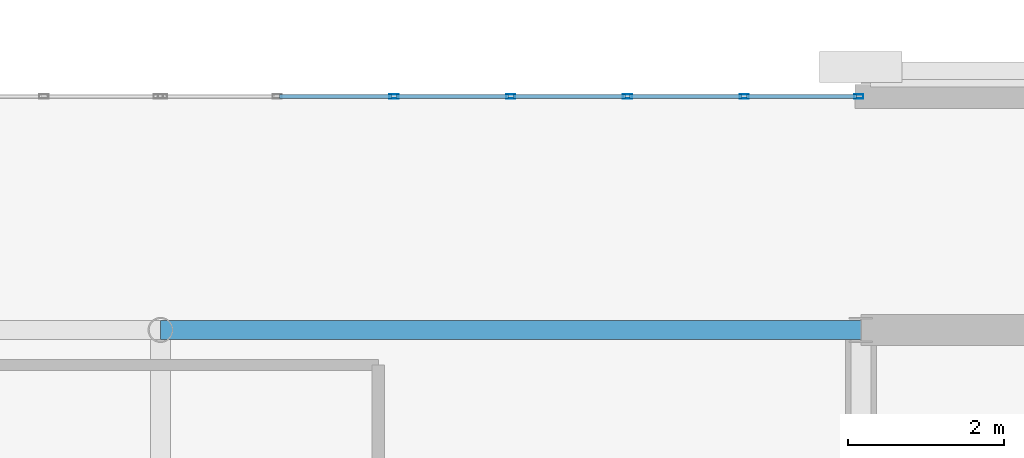
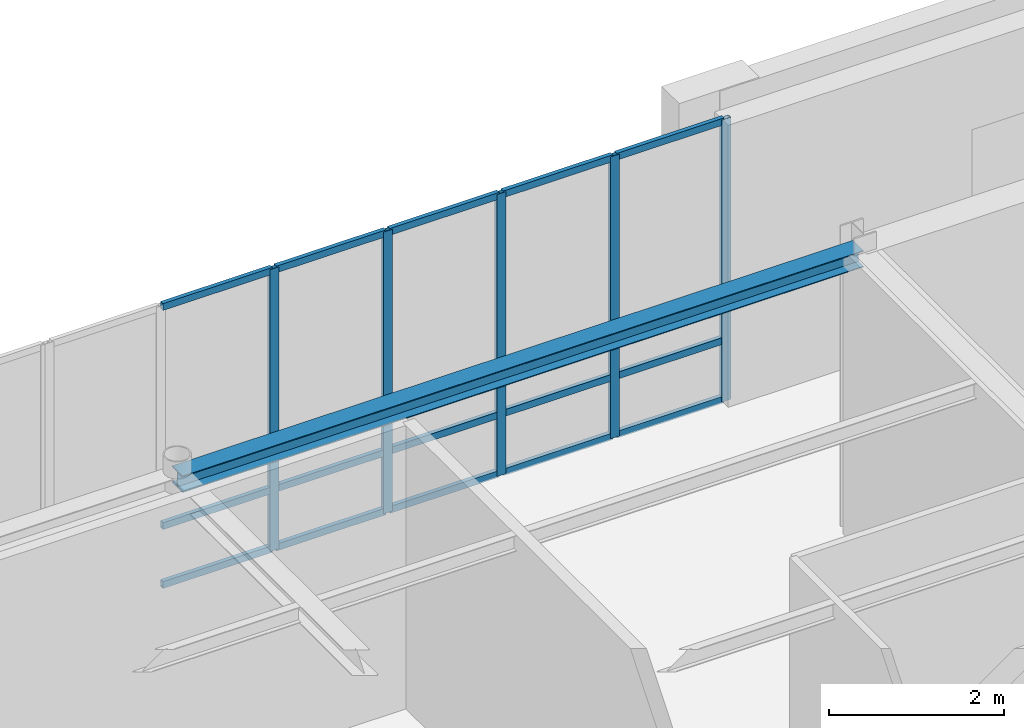
# One storey, part 17 of 36: 20 members, 1 beam, 1 element without a shape of its own.
"""IFC4 building model written with IfcOpenShell, lengths in metres."""

from ifc_helpers import new_model, si_unit, direction, frame, origin, origin_2d, place, context, subcontext, project, spatial, hollow_rectangle, i_section, extrude, material, material_profile, profile_set, type_object, element, aggregate, save


model = new_model("IFC4")

# Units and contexts
model_context = context("Model", 3, precision=1e-05, world=origin(), true_north=direction((0.0, 1.0)))
body_context = subcontext(model_context, "Body", "Model", "MODEL_VIEW")
ifc_project = project(units=[si_unit("LENGTHUNIT", "METRE"), si_unit("AREAUNIT", "SQUARE_METRE"), si_unit("VOLUMEUNIT", "CUBIC_METRE"), si_unit("PLANEANGLEUNIT", "RADIAN"), si_unit("MASSUNIT", "GRAM", prefix="KILO")], contexts=[model_context])

# Site, building, storey
site_placement = place(None, origin())
site = spatial("IfcSite", under=ifc_project, at=site_placement, CompositionType="ELEMENT")
building_placement = place(site_placement, origin())
building = spatial("IfcBuilding", under=site, at=building_placement, Name="Lykobir Media Centre", CompositionType="ELEMENT")
storey_placement = place(building_placement, frame((0.0, 0.0, 27.60009765625)))
storey = spatial("IfcBuildingStorey", under=building, at=storey_placement, Name="L06", CompositionType="ELEMENT", Elevation=27.60009765625)

# Curtain wall, members
ifc_material_1 = material(Name="Anodized Aluminium AW-6060", Category="aluminium")
curtain_wall_type = type_object("IfcCurtainWallType", Name="CW-COURT-B", PredefinedType="NOTDEFINED", material=ifc_material_1)
curtain_wall_placement = place(storey_placement, origin())
curtain_wall = element("IfcCurtainWall", 1, at=curtain_wall_placement, inside=storey, type_object=curtain_wall_type, Name="Curtain wall CW2-L06-0209", PredefinedType="NOTDEFINED")
ifc_material_profile_1 = material_profile(ifc_material_1, hollow_rectangle(XDim=0.054931640625, YDim=0.1201171875, WallThickness=0.003173828125, at=origin_2d()), Name="ALU MULLION 55x120")
ifc_profile_set_1 = profile_set([ifc_material_profile_1], Name="Anodized Aluminium AW-6060")
member_type_1 = type_object("IfcMemberType", Name="CWM-120", PredefinedType="MULLION", material=ifc_profile_set_1)
member_1_placement = place(storey_placement, frame((66.0, 21.0, 0.0), z_axis=(0.0, 0.0, 1.0), x_axis=(0.0, 1.0, 0.0)))
member_1 = element("IfcMember", 2, at=member_1_placement, type_object=member_type_1, Name="CW2-L06-0209 mullion 3", PredefinedType="MULLION", context=body_context, shape_type="SweptSolid", body=[
    extrude(hollow_rectangle(XDim=0.054931640625, YDim=0.1201171875, WallThickness=0.003173828125, at=origin_2d()), origin(), (0.0, 0.0, 1.0), 3.93994140625),
])
member_2_placement = place(storey_placement, frame((67.5, 21.0, 0.0), z_axis=(0.0, 0.0, 1.0), x_axis=(0.0, 1.0, 0.0)))
member_2 = element("IfcMember", 3, at=member_2_placement, type_object=member_type_1, Name="CW2-L06-0209 mullion 4", PredefinedType="MULLION", context=body_context, shape_type="SweptSolid", body=[
    extrude(hollow_rectangle(XDim=0.054931640625, YDim=0.1201171875, WallThickness=0.003173828125, at=origin_2d()), origin(), (0.0, 0.0, 1.0), 3.93994140625),
])
member_3_placement = place(storey_placement, frame((69.0, 21.0, 0.0), z_axis=(0.0, 0.0, 1.0), x_axis=(0.0, 1.0, 0.0)))
member_3 = element("IfcMember", 4, at=member_3_placement, type_object=member_type_1, Name="CW2-L06-0209 mullion 5", PredefinedType="MULLION", context=body_context, shape_type="SweptSolid", body=[
    extrude(hollow_rectangle(XDim=0.054931640625, YDim=0.1201171875, WallThickness=0.003173828125, at=origin_2d()), origin(), (0.0, 0.0, 1.0), 3.93994140625),
])
member_4_placement = place(storey_placement, frame((70.5, 21.0, 0.0), z_axis=(0.0, 0.0, 1.0), x_axis=(0.0, 1.0, 0.0)))
member_4 = element("IfcMember", 5, at=member_4_placement, type_object=member_type_1, Name="CW2-L06-0209 mullion 6", PredefinedType="MULLION", context=body_context, shape_type="SweptSolid", body=[
    extrude(hollow_rectangle(XDim=0.054931640625, YDim=0.1201171875, WallThickness=0.003173828125, at=origin_2d()), origin(), (0.0, 0.0, 1.0), 3.93994140625),
])
member_5_placement = place(storey_placement, frame((71.972412109375, 21.0, 0.0), z_axis=(0.0, 0.0, 1.0), x_axis=(0.0, 1.0, 0.0)))
member_5 = element("IfcMember", 6, at=member_5_placement, type_object=member_type_1, Name="CW2-L06-0209 mullion 7", PredefinedType="MULLION", context=body_context, shape_type="SweptSolid", body=[
    extrude(hollow_rectangle(XDim=0.054931640625, YDim=0.1201171875, WallThickness=0.003173828125, at=origin_2d()), origin(), (0.0, 0.0, 1.0), 3.93994140625),
])
ifc_material_profile_2 = material_profile(ifc_material_1, hollow_rectangle(XDim=0.054931640625, YDim=0.094970703125, WallThickness=0.0029296875, at=origin_2d()), Name="ALU TRANSOM 55x95")
ifc_profile_set_2 = profile_set([ifc_material_profile_2], Name="Anodized Aluminium AW-6060")
member_type_2 = type_object("IfcMemberType", Name="CWT-095", PredefinedType="USERDEFINED", material=ifc_profile_set_2)
member_6_placement = place(storey_placement, frame((64.527587890625, 21.0, 0.02734375), z_axis=(1.0, 0.0, 0.0), x_axis=(0.0, 1.0, 0.0)))
member_6 = element("IfcMember", 7, at=member_6_placement, type_object=member_type_2, Name="CW2-L06-0209 transom 2.1", ObjectType="TRANSOM", PredefinedType="USERDEFINED", context=body_context, shape_type="SweptSolid", body=[
    extrude(hollow_rectangle(XDim=0.054931640625, YDim=0.094970703125, WallThickness=0.0029296875, at=origin_2d()), origin(), (0.0, 0.0, 1.0), 1.44482421875),
])
member_7_placement = place(storey_placement, frame((64.527587890625, 21.0, 0.849853515625), z_axis=(1.0, 0.0, 0.0), x_axis=(0.0, 1.0, 0.0)))
member_7 = element("IfcMember", 8, at=member_7_placement, type_object=member_type_2, Name="CW2-L06-0209 transom 2.2", ObjectType="TRANSOM", PredefinedType="USERDEFINED", context=body_context, shape_type="SweptSolid", body=[
    extrude(hollow_rectangle(XDim=0.054931640625, YDim=0.094970703125, WallThickness=0.0029296875, at=origin_2d()), origin(), (0.0, 0.0, 1.0), 1.44482421875),
])
member_8_placement = place(storey_placement, frame((64.527587890625, 21.0, 3.912353515625), z_axis=(1.0, 0.0, 0.0), x_axis=(0.0, 1.0, 0.0)))
member_8 = element("IfcMember", 9, at=member_8_placement, type_object=member_type_2, Name="CW2-L06-0209 transom 2.3", ObjectType="TRANSOM", PredefinedType="USERDEFINED", context=body_context, shape_type="SweptSolid", body=[
    extrude(hollow_rectangle(XDim=0.054931640625, YDim=0.094970703125, WallThickness=0.0029296875, at=origin_2d()), origin(), (0.0, 0.0, 1.0), 1.44482421875),
])
member_9_placement = place(storey_placement, frame((66.027587890625, 21.0, 0.02734375), z_axis=(1.0, 0.0, 0.0), x_axis=(0.0, 1.0, 0.0)))
member_9 = element("IfcMember", 10, at=member_9_placement, type_object=member_type_2, Name="CW2-L06-0209 transom 3.1", ObjectType="TRANSOM", PredefinedType="USERDEFINED", context=body_context, shape_type="SweptSolid", body=[
    extrude(hollow_rectangle(XDim=0.054931640625, YDim=0.094970703125, WallThickness=0.0029296875, at=origin_2d()), origin(), (0.0, 0.0, 1.0), 1.44482421875),
])
member_10_placement = place(storey_placement, frame((66.027587890625, 21.0, 0.849853515625), z_axis=(1.0, 0.0, 0.0), x_axis=(0.0, 1.0, 0.0)))
member_10 = element("IfcMember", 11, at=member_10_placement, type_object=member_type_2, Name="CW2-L06-0209 transom 3.2", ObjectType="TRANSOM", PredefinedType="USERDEFINED", context=body_context, shape_type="SweptSolid", body=[
    extrude(hollow_rectangle(XDim=0.054931640625, YDim=0.094970703125, WallThickness=0.0029296875, at=origin_2d()), origin(), (0.0, 0.0, 1.0), 1.44482421875),
])
member_11_placement = place(storey_placement, frame((66.027587890625, 21.0, 3.912353515625), z_axis=(1.0, 0.0, 0.0), x_axis=(0.0, 1.0, 0.0)))
member_11 = element("IfcMember", 12, at=member_11_placement, type_object=member_type_2, Name="CW2-L06-0209 transom 3.3", ObjectType="TRANSOM", PredefinedType="USERDEFINED", context=body_context, shape_type="SweptSolid", body=[
    extrude(hollow_rectangle(XDim=0.054931640625, YDim=0.094970703125, WallThickness=0.0029296875, at=origin_2d()), origin(), (0.0, 0.0, 1.0), 1.44482421875),
])
member_12_placement = place(storey_placement, frame((67.527587890625, 21.0, 0.02734375), z_axis=(1.0, 0.0, 0.0), x_axis=(0.0, 1.0, 0.0)))
member_12 = element("IfcMember", 13, at=member_12_placement, type_object=member_type_2, Name="CW2-L06-0209 transom 4.1", ObjectType="TRANSOM", PredefinedType="USERDEFINED", context=body_context, shape_type="SweptSolid", body=[
    extrude(hollow_rectangle(XDim=0.054931640625, YDim=0.094970703125, WallThickness=0.0029296875, at=origin_2d()), origin(), (0.0, 0.0, 1.0), 1.44482421875),
])
member_13_placement = place(storey_placement, frame((67.527587890625, 21.0, 0.849853515625), z_axis=(1.0, 0.0, 0.0), x_axis=(0.0, 1.0, 0.0)))
member_13 = element("IfcMember", 14, at=member_13_placement, type_object=member_type_2, Name="CW2-L06-0209 transom 4.2", ObjectType="TRANSOM", PredefinedType="USERDEFINED", context=body_context, shape_type="SweptSolid", body=[
    extrude(hollow_rectangle(XDim=0.054931640625, YDim=0.094970703125, WallThickness=0.0029296875, at=origin_2d()), origin(), (0.0, 0.0, 1.0), 1.44482421875),
])
member_14_placement = place(storey_placement, frame((67.527587890625, 21.0, 3.912353515625), z_axis=(1.0, 0.0, 0.0), x_axis=(0.0, 1.0, 0.0)))
member_14 = element("IfcMember", 15, at=member_14_placement, type_object=member_type_2, Name="CW2-L06-0209 transom 4.3", ObjectType="TRANSOM", PredefinedType="USERDEFINED", context=body_context, shape_type="SweptSolid", body=[
    extrude(hollow_rectangle(XDim=0.054931640625, YDim=0.094970703125, WallThickness=0.0029296875, at=origin_2d()), origin(), (0.0, 0.0, 1.0), 1.44482421875),
])
member_15_placement = place(storey_placement, frame((69.027587890625, 21.0, 0.02734375), z_axis=(1.0, 0.0, 0.0), x_axis=(0.0, 1.0, 0.0)))
member_15 = element("IfcMember", 16, at=member_15_placement, type_object=member_type_2, Name="CW2-L06-0209 transom 5.1", ObjectType="TRANSOM", PredefinedType="USERDEFINED", context=body_context, shape_type="SweptSolid", body=[
    extrude(hollow_rectangle(XDim=0.054931640625, YDim=0.094970703125, WallThickness=0.0029296875, at=origin_2d()), origin(), (0.0, 0.0, 1.0), 1.44482421875),
])
member_16_placement = place(storey_placement, frame((69.027587890625, 21.0, 0.849853515625), z_axis=(1.0, 0.0, 0.0), x_axis=(0.0, 1.0, 0.0)))
member_16 = element("IfcMember", 17, at=member_16_placement, type_object=member_type_2, Name="CW2-L06-0209 transom 5.2", ObjectType="TRANSOM", PredefinedType="USERDEFINED", context=body_context, shape_type="SweptSolid", body=[
    extrude(hollow_rectangle(XDim=0.054931640625, YDim=0.094970703125, WallThickness=0.0029296875, at=origin_2d()), origin(), (0.0, 0.0, 1.0), 1.44482421875),
])
member_17_placement = place(storey_placement, frame((69.027587890625, 21.0, 3.912353515625), z_axis=(1.0, 0.0, 0.0), x_axis=(0.0, 1.0, 0.0)))
member_17 = element("IfcMember", 18, at=member_17_placement, type_object=member_type_2, Name="CW2-L06-0209 transom 5.3", ObjectType="TRANSOM", PredefinedType="USERDEFINED", context=body_context, shape_type="SweptSolid", body=[
    extrude(hollow_rectangle(XDim=0.054931640625, YDim=0.094970703125, WallThickness=0.0029296875, at=origin_2d()), origin(), (0.0, 0.0, 1.0), 1.44482421875),
])
member_18_placement = place(storey_placement, frame((70.527587890625, 21.0, 0.02734375), z_axis=(1.0, 0.0, 0.0), x_axis=(0.0, 1.0, 0.0)))
member_18 = element("IfcMember", 19, at=member_18_placement, type_object=member_type_2, Name="CW2-L06-0209 transom 6.1", ObjectType="TRANSOM", PredefinedType="USERDEFINED", context=body_context, shape_type="SweptSolid", body=[
    extrude(hollow_rectangle(XDim=0.054931640625, YDim=0.094970703125, WallThickness=0.0029296875, at=origin_2d()), origin(), (0.0, 0.0, 1.0), 1.41748046875),
])
member_19_placement = place(storey_placement, frame((70.527587890625, 21.0, 0.849853515625), z_axis=(1.0, 0.0, 0.0), x_axis=(0.0, 1.0, 0.0)))
member_19 = element("IfcMember", 20, at=member_19_placement, type_object=member_type_2, Name="CW2-L06-0209 transom 6.2", ObjectType="TRANSOM", PredefinedType="USERDEFINED", context=body_context, shape_type="SweptSolid", body=[
    extrude(hollow_rectangle(XDim=0.054931640625, YDim=0.094970703125, WallThickness=0.0029296875, at=origin_2d()), origin(), (0.0, 0.0, 1.0), 1.41748046875),
])
member_20_placement = place(storey_placement, frame((70.527587890625, 21.0, 3.912353515625), z_axis=(1.0, 0.0, 0.0), x_axis=(0.0, 1.0, 0.0)))
member_20 = element("IfcMember", 21, at=member_20_placement, type_object=member_type_2, Name="CW2-L06-0209 transom 6.3", ObjectType="TRANSOM", PredefinedType="USERDEFINED", context=body_context, shape_type="SweptSolid", body=[
    extrude(hollow_rectangle(XDim=0.054931640625, YDim=0.094970703125, WallThickness=0.0029296875, at=origin_2d()), origin(), (0.0, 0.0, 1.0), 1.41748046875),
])
aggregate(curtain_wall, [member_1, member_2, member_3, member_4, member_5, member_6, member_7, member_8, member_9, member_10, member_11, member_12, member_13, member_14, member_15, member_16, member_17, member_18, member_19, member_20])

# Beam
ifc_material_2 = material(Name="Steel S355", Category="steel")
ifc_material_profile_3 = material_profile(ifc_material_2, i_section(OverallWidth=0.239990234375, OverallDepth=0.22998046875, WebThickness=0.007568359375, FlangeThickness=0.011962890625, at=origin_2d()), Name="HEA 240")
ifc_profile_set_3 = profile_set([ifc_material_profile_3], Name="Steel S355")
beam_type = type_object("IfcBeamType", Name="SP-HEA240", PredefinedType="SPANDREL", material=ifc_profile_set_3)
beam_placement = place(storey_placement, frame((63.0, 18.0, 3.844970703125), z_axis=(1.0, 0.0, 0.0), x_axis=(0.0, 1.0, 0.0)))
element("IfcBeam", 22, at=beam_placement, inside=storey, type_object=beam_type, Name="Beam BM-L06-0630-0180-0720-0180-3144", PredefinedType="SPANDREL", context=body_context, shape_type="SweptSolid", body=[
    extrude(i_section(OverallWidth=0.239990234375, OverallDepth=0.22998046875, WebThickness=0.007568359375, FlangeThickness=0.011962890625, at=origin_2d()), origin(), (0.0, 0.0, 1.0), 9.0),
])

save(model, "model.ifc")
